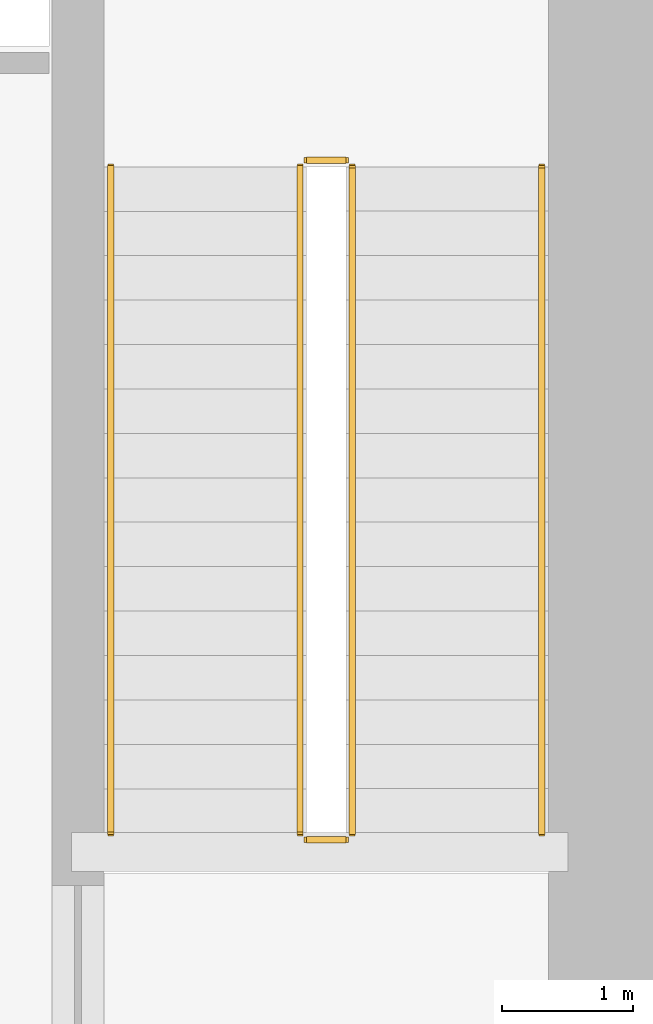
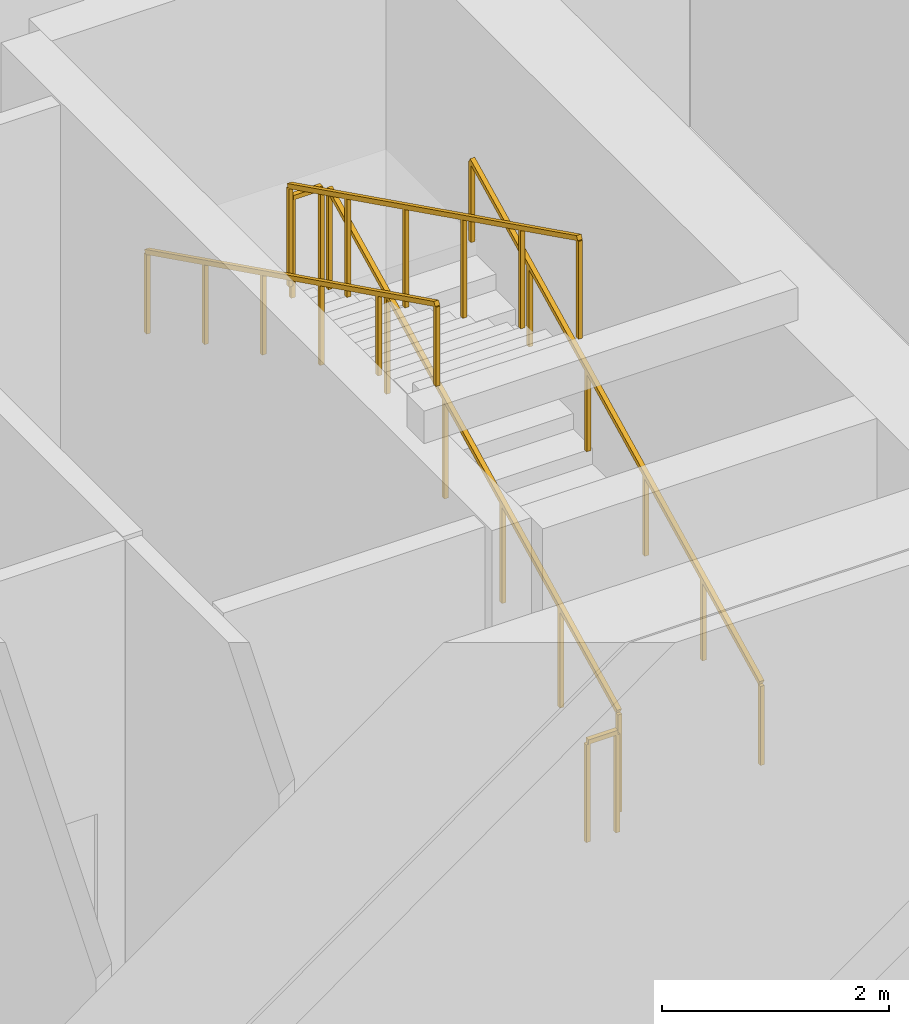
# One storey, part 11 of 11: 6 railings.
"""IFC4 building model written with IfcOpenShell, lengths in metres."""

from ifc_helpers import new_model, si_unit, direction, frame, origin, origin_2d, place, context, subcontext, project, spatial, rectangle, extrude, material, layer, layer_set, type_object, element, save


model = new_model("IFC4")

# Units and contexts
model_context = context("Model", 3, precision=1e-05, world=origin(), true_north=direction((0.0, 1.0)))
body_context = subcontext(model_context, "Body", "Model", "MODEL_VIEW")
ifc_project = project(units=[si_unit("LENGTHUNIT", "METRE"), si_unit("AREAUNIT", "SQUARE_METRE"), si_unit("VOLUMEUNIT", "CUBIC_METRE"), si_unit("PLANEANGLEUNIT", "RADIAN"), si_unit("MASSUNIT", "GRAM", prefix="KILO")], contexts=[model_context])

# Site, building, storey
site_placement = place(None, origin())
site = spatial("IfcSite", under=ifc_project, at=site_placement, CompositionType="ELEMENT")
building_placement = place(site_placement, origin())
building = spatial("IfcBuilding", under=site, at=building_placement, Name="Tavrogorsk Clinical Tower", CompositionType="ELEMENT")
storey_placement = place(building_placement, frame((0.0, 0.0, -5.39990234375)))
storey = spatial("IfcBuildingStorey", under=building, at=storey_placement, Name="B1", CompositionType="ELEMENT", Elevation=-5.39990234375)

# Railings
ifc_material_1 = material(Name="Galvanised steel S355 safety stairwell guard", Category="steel")
ifc_layer_1 = layer(ifc_material_1, 0.06005859375)
ifc_layer_set_1 = layer_set([ifc_layer_1], Name="Galvanised steel S355 safety stairwell guard")
railing_type_1 = type_object("IfcRailingType", Name="StairGuard_1150", PredefinedType="GUARDRAIL", material=ifc_layer_set_1)
railing_1_placement = place(storey_placement, frame((19.699951171875, -2.574951171875, 0.168701171875)))
element("IfcRailing", 1, at=railing_1_placement, inside=storey, type_object=railing_type_1, Name="B1 ST-E stair guard 1", PredefinedType="GUARDRAIL", context=body_context, shape_type="SweptSolid", body=[
    extrude(rectangle(XDim=0.048095703125, YDim=0.048095703125, at=origin_2d()), frame((0.0, 0.0, 1.076171875), z_axis=(0.0, 0.895735491292, 0.444587370086), x_axis=(-1.0, 0.0, 0.0)), (0.0, 0.0, 1.0), 5.693603515625),
    extrude(rectangle(XDim=0.0419921875, YDim=0.0419921875, at=origin_2d()), origin(), (0.0, 0.0, 1.0), 1.052001953125),
    extrude(rectangle(XDim=0.0419921875, YDim=0.0419921875, at=origin_2d()), frame((0.0, 1.02001953125, 0.50634765625)), (0.0, 0.0, 1.0), 1.052001953125),
    extrude(rectangle(XDim=0.0419921875, YDim=0.0419921875, at=origin_2d()), frame((0.0, 2.0400390625, 1.012451171875)), (0.0, 0.0, 1.0), 1.052001953125),
    extrude(rectangle(XDim=0.0419921875, YDim=0.0419921875, at=origin_2d()), frame((0.0, 3.059814453125, 1.518798828125)), (0.0, 0.0, 1.0), 1.052001953125),
    extrude(rectangle(XDim=0.0419921875, YDim=0.0419921875, at=origin_2d()), frame((0.0, 4.079833984375, 2.02490234375)), (0.0, 0.0, 1.0), 1.052001953125),
    extrude(rectangle(XDim=0.0419921875, YDim=0.0419921875, at=origin_2d()), frame((0.0, 5.099853515625, 2.53125)), (0.0, 0.0, 1.0), 1.052001953125),
])
railing_2_placement = place(storey_placement, frame((19.64990234375, 2.574951171875, 2.699951171875)))
element("IfcRailing", 2, at=railing_2_placement, inside=storey, type_object=railing_type_1, Name="B1 ST-E stair guard 2", PredefinedType="GUARDRAIL", context=body_context, shape_type="SweptSolid", body=[
    extrude(rectangle(XDim=0.048095703125, YDim=0.048095703125, at=origin_2d()), frame((0.0, 0.0, 1.076171875), z_axis=(-1.0, 0.0, 0.0), x_axis=(0.0, -1.0, 0.0)), (0.0, 0.0, 1.0), 0.2998046875),
    extrude(rectangle(XDim=0.0419921875, YDim=0.0419921875, at=origin_2d()), origin(), (0.0, 0.0, 1.0), 1.052001953125),
    extrude(rectangle(XDim=0.0419921875, YDim=0.0419921875, at=origin_2d()), frame((-0.2998046875, 0.0, 0.0)), (0.0, 0.0, 1.0), 1.052001953125),
])
railing_3_placement = place(storey_placement, frame((19.300048828125, 2.52490234375, 2.86865234375)))
element("IfcRailing", 3, at=railing_3_placement, inside=storey, type_object=railing_type_1, Name="B1 ST-E stair guard 3", PredefinedType="GUARDRAIL", context=body_context, shape_type="SweptSolid", body=[
    extrude(rectangle(XDim=0.048095703125, YDim=0.048095703125, at=origin_2d()), frame((0.0, 0.0, 1.076171875), z_axis=(0.0, -0.895735491292, 0.444587370086), x_axis=(1.0, 0.0, 0.0)), (0.0, 0.0, 1.0), 5.693603515625),
    extrude(rectangle(XDim=0.0419921875, YDim=0.0419921875, at=origin_2d()), origin(), (0.0, 0.0, 1.0), 1.052001953125),
    extrude(rectangle(XDim=0.0419921875, YDim=0.0419921875, at=origin_2d()), frame((0.0, -1.02001953125, 0.50634765625)), (0.0, 0.0, 1.0), 1.052001953125),
    extrude(rectangle(XDim=0.0419921875, YDim=0.0419921875, at=origin_2d()), frame((0.0, -2.0400390625, 1.012451171875)), (0.0, 0.0, 1.0), 1.052001953125),
    extrude(rectangle(XDim=0.0419921875, YDim=0.0419921875, at=origin_2d()), frame((0.0, -3.059814453125, 1.518798828125)), (0.0, 0.0, 1.0), 1.052001953125),
    extrude(rectangle(XDim=0.0419921875, YDim=0.0419921875, at=origin_2d()), frame((0.0, -4.079833984375, 2.02490234375)), (0.0, 0.0, 1.0), 1.052001953125),
    extrude(rectangle(XDim=0.0419921875, YDim=0.0419921875, at=origin_2d()), frame((0.0, -5.099853515625, 2.53125)), (0.0, 0.0, 1.0), 1.052001953125),
])
railing_4_placement = place(storey_placement, frame((19.64990234375, -2.625, 0.0)))
element("IfcRailing", 4, at=railing_4_placement, inside=storey, type_object=railing_type_1, Name="B1 ST-E stair guard 4", PredefinedType="GUARDRAIL", context=body_context, shape_type="SweptSolid", body=[
    extrude(rectangle(XDim=0.048095703125, YDim=0.048095703125, at=origin_2d()), frame((0.0, 0.0, 1.076171875), z_axis=(-1.0, 0.0, 0.0), x_axis=(0.0, -1.0, 0.0)), (0.0, 0.0, 1.0), 0.2998046875),
    extrude(rectangle(XDim=0.0419921875, YDim=0.0419921875, at=origin_2d()), origin(), (0.0, 0.0, 1.0), 1.052001953125),
    extrude(rectangle(XDim=0.0419921875, YDim=0.0419921875, at=origin_2d()), frame((-0.2998046875, 0.0, 0.0)), (0.0, 0.0, 1.0), 1.052001953125),
])
ifc_material_2 = material(Name="Stainless steel AISI 304 tubular handrail", Category="steel")
ifc_layer_2 = layer(ifc_material_2, 0.050048828125)
ifc_layer_set_2 = layer_set([ifc_layer_2], Name="Stainless steel AISI 304 tubular handrail")
railing_type_2 = type_object("IfcRailingType", Name="StairHandrail_920", PredefinedType="HANDRAIL", material=ifc_layer_set_2)
railing_5_placement = place(storey_placement, frame((21.14990234375, -2.574951171875, 0.168701171875)))
element("IfcRailing", 5, at=railing_5_placement, inside=storey, type_object=railing_type_2, Name="B1 ST-E stair handrail 1", PredefinedType="HANDRAIL", context=body_context, shape_type="SweptSolid", body=[
    extrude(rectangle(XDim=0.048095703125, YDim=0.048095703125, at=origin_2d()), frame((0.0, 0.0, 0.8759765625), z_axis=(0.0, 0.895735491292, 0.444587370086), x_axis=(-1.0, 0.0, 0.0)), (0.0, 0.0, 1.0), 5.693603515625),
    extrude(rectangle(XDim=0.0419921875, YDim=0.0419921875, at=origin_2d()), origin(), (0.0, 0.0, 1.0), 0.851806640625),
    extrude(rectangle(XDim=0.0419921875, YDim=0.0419921875, at=origin_2d()), frame((0.0, 1.02001953125, 0.50634765625)), (0.0, 0.0, 1.0), 0.851806640625),
    extrude(rectangle(XDim=0.0419921875, YDim=0.0419921875, at=origin_2d()), frame((0.0, 2.0400390625, 1.012451171875)), (0.0, 0.0, 1.0), 0.851806640625),
    extrude(rectangle(XDim=0.0419921875, YDim=0.0419921875, at=origin_2d()), frame((0.0, 3.059814453125, 1.518798828125)), (0.0, 0.0, 1.0), 0.851806640625),
    extrude(rectangle(XDim=0.0419921875, YDim=0.0419921875, at=origin_2d()), frame((0.0, 4.079833984375, 2.02490234375)), (0.0, 0.0, 1.0), 0.851806640625),
    extrude(rectangle(XDim=0.0419921875, YDim=0.0419921875, at=origin_2d()), frame((0.0, 5.099853515625, 2.53125)), (0.0, 0.0, 1.0), 0.851806640625),
])
railing_6_placement = place(storey_placement, frame((17.85009765625, 2.52490234375, 2.86865234375)))
element("IfcRailing", 6, at=railing_6_placement, inside=storey, type_object=railing_type_2, Name="B1 ST-E stair handrail 2", PredefinedType="HANDRAIL", context=body_context, shape_type="SweptSolid", body=[
    extrude(rectangle(XDim=0.048095703125, YDim=0.048095703125, at=origin_2d()), frame((0.0, 0.0, 0.8759765625), z_axis=(0.0, -0.895735491292, 0.444587370086), x_axis=(1.0, 0.0, 0.0)), (0.0, 0.0, 1.0), 5.693603515625),
    extrude(rectangle(XDim=0.0419921875, YDim=0.0419921875, at=origin_2d()), origin(), (0.0, 0.0, 1.0), 0.851806640625),
    extrude(rectangle(XDim=0.0419921875, YDim=0.0419921875, at=origin_2d()), frame((0.0, -1.02001953125, 0.50634765625)), (0.0, 0.0, 1.0), 0.851806640625),
    extrude(rectangle(XDim=0.0419921875, YDim=0.0419921875, at=origin_2d()), frame((0.0, -2.0400390625, 1.012451171875)), (0.0, 0.0, 1.0), 0.851806640625),
    extrude(rectangle(XDim=0.0419921875, YDim=0.0419921875, at=origin_2d()), frame((0.0, -3.059814453125, 1.518798828125)), (0.0, 0.0, 1.0), 0.851806640625),
    extrude(rectangle(XDim=0.0419921875, YDim=0.0419921875, at=origin_2d()), frame((0.0, -4.079833984375, 2.02490234375)), (0.0, 0.0, 1.0), 0.851806640625),
    extrude(rectangle(XDim=0.0419921875, YDim=0.0419921875, at=origin_2d()), frame((0.0, -5.099853515625, 2.53125)), (0.0, 0.0, 1.0), 0.851806640625),
])

save(model, "model.ifc")
